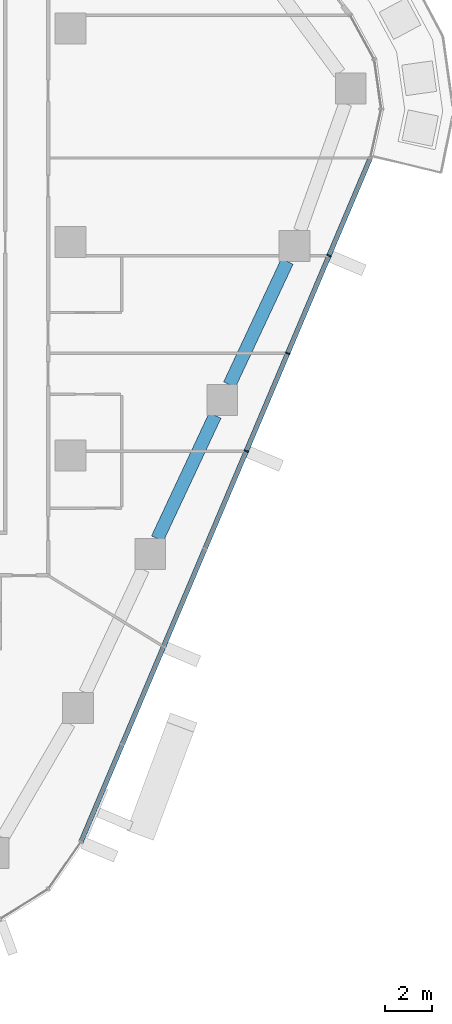
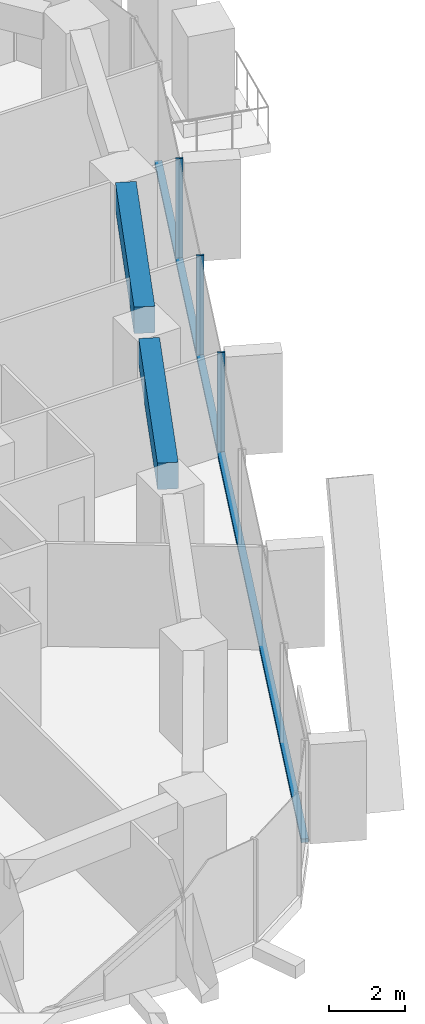
# One storey, part 5 of 23: 4 members, 2 beams, 1 element without a shape of its own.
"""IFC4 building model written with IfcOpenShell, lengths in metres."""

from ifc_helpers import new_model, si_unit, direction, frame, origin, origin_2d, place, context, subcontext, project, spatial, rectangle, extrude, material, layer, layer_set, material_profile, profile_set, type_object, element, aggregate, save


model = new_model("IFC4")

# Units and contexts
model_context = context("Model", 3, precision=1e-05, world=origin(), true_north=direction((0.0, 1.0)))
body_context = subcontext(model_context, "Body", "Model", "MODEL_VIEW")
ifc_project = project(units=[si_unit("LENGTHUNIT", "METRE"), si_unit("AREAUNIT", "SQUARE_METRE"), si_unit("VOLUMEUNIT", "CUBIC_METRE"), si_unit("PLANEANGLEUNIT", "RADIAN"), si_unit("MASSUNIT", "GRAM", prefix="KILO")], contexts=[model_context])

# Site, building, storey
site_placement = place(None, origin())
site = spatial("IfcSite", under=ifc_project, at=site_placement, CompositionType="ELEMENT")
building_placement = place(site_placement, origin())
building = spatial("IfcBuilding", under=site, at=building_placement, Name="Dongbaek Canopy Tower", CompositionType="ELEMENT")
storey_placement = place(building_placement, frame((0.0, 0.0, 121.10009765625)))
storey = spatial("IfcBuildingStorey", under=building, at=storey_placement, Name="L26", CompositionType="ELEMENT", Elevation=121.10009765625)

# Curtain wall, members
ifc_material_1 = material(Name="Aluminium 6063-T6 pale anodised", Category="aluminium")
ifc_layer = layer(ifc_material_1, 0.199951171875)
ifc_layer_set = layer_set([ifc_layer], Name="CW-1 unitised tower curtain wall")
curtain_wall_type = type_object("IfcCurtainWallType", Name="CW-1 unitised tower curtain wall", PredefinedType="NOTDEFINED", material=ifc_layer_set)
curtain_wall_placement = place(storey_placement, origin())
curtain_wall = element("IfcCurtainWall", 1, at=curtain_wall_placement, inside=storey, type_object=curtain_wall_type, Name="CW-1 curtain wall F5.1", PredefinedType="NOTDEFINED")
ifc_material_2 = material(Name="Aluminium 6063-T6 pale anodised", Category="aluminium")
ifc_material_profile_1 = material_profile(ifc_material_2, rectangle(XDim=0.199951171875, YDim=0.06005859375, at=origin_2d()), Name="CW-1 mullion 60 x 200")
ifc_profile_set_1 = profile_set([ifc_material_profile_1], Name="Aluminium 6063-T6 pale anodised")
member_type_1 = type_object("IfcMemberType", Name="CW-1 mullion 60 x 200", PredefinedType="MULLION", material=ifc_profile_set_1)
member_1_placement = place(storey_placement, frame((25.40625, -8.809814453125, 0.119873046875), z_axis=(0.0, 0.0, 1.0), x_axis=(0.920957724744, -0.389662506836, 0.0)))
member_1 = element("IfcMember", 2, at=member_1_placement, type_object=member_type_1, Name="CW-1 mullion F5.1.5", PredefinedType="MULLION", context=body_context, shape_type="SweptSolid", body=[
    extrude(rectangle(XDim=0.199951171875, YDim=0.06005859375, at=origin_2d()), origin(), (0.0, 0.0, 1.0), 3.179931640625),
])
member_2_placement = place(storey_placement, frame((27.14990234375, -4.688720703125, 0.119873046875), z_axis=(0.0, 0.0, 1.0), x_axis=(0.920957724744, -0.389662506836, 0.0)))
member_2 = element("IfcMember", 3, at=member_2_placement, type_object=member_type_1, Name="CW-1 mullion F5.1.6", PredefinedType="MULLION", context=body_context, shape_type="SweptSolid", body=[
    extrude(rectangle(XDim=0.199951171875, YDim=0.06005859375, at=origin_2d()), origin(), (0.0, 0.0, 1.0), 3.179931640625),
])
member_3_placement = place(storey_placement, frame((28.8935546875, -0.56787109375, 0.119873046875), z_axis=(0.0, 0.0, 1.0), x_axis=(0.920957724744, -0.389662506836, 0.0)))
member_3 = element("IfcMember", 4, at=member_3_placement, type_object=member_type_1, Name="CW-1 mullion F5.1.7", PredefinedType="MULLION", context=body_context, shape_type="SweptSolid", body=[
    extrude(rectangle(XDim=0.199951171875, YDim=0.06005859375, at=origin_2d()), origin(), (0.0, 0.0, 1.0), 3.179931640625),
])
ifc_material_3 = material(Name="Aluminium 6063-T6 pale anodised", Category="aluminium")
ifc_material_profile_2 = material_profile(ifc_material_3, rectangle(XDim=0.199951171875, YDim=0.1201171875, at=origin_2d()), Name="CW-1 transom 120 x 200")
ifc_profile_set_2 = profile_set([ifc_material_profile_2], Name="Aluminium 6063-T6 pale anodised")
member_type_2 = type_object("IfcMemberType", Name="CW-1 transom 120 x 200", PredefinedType="USERDEFINED", material=ifc_profile_set_2)
member_4_placement = place(storey_placement, frame((18.435791015625, -25.2841796875, 0.059814453125), z_axis=(0.389665179174, 0.920956594058, 0.0), x_axis=(-0.920956594058, 0.389665179174, 0.0)))
member_4 = element("IfcMember", 5, at=member_4_placement, type_object=member_type_2, Name="CW-1 transom F5.1.1", ObjectType="TRANSOM", PredefinedType="USERDEFINED", context=body_context, shape_type="SweptSolid", body=[
    extrude(rectangle(XDim=0.199951171875, YDim=0.1201171875, at=origin_2d()), origin(), (0.0, 0.0, 1.0), 31.30322265625),
])
aggregate(curtain_wall, [member_1, member_2, member_3, member_4])

# Beams
ifc_material_4 = material(Name="Concrete C80", Category="concrete")
ifc_material_profile_3 = material_profile(ifc_material_4, rectangle(XDim=0.550048828125, YDim=0.85009765625, at=origin_2d()), Name="RC EDGE BEAM 550x850 C80")
ifc_profile_set_3 = profile_set([ifc_material_profile_3], Name="Concrete C80")
beam_type = type_object("IfcBeamType", Name="RC EDGE BEAM 550x850 C80", PredefinedType="BEAM", material=ifc_profile_set_3)
beam_1_placement = place(storey_placement, frame((27.131591796875, -0.81494140625, 2.875), z_axis=(-0.424053070164, -0.90563734115, 0.0), x_axis=(0.90563734115, -0.424053070164, 0.0)))
element("IfcBeam", 6, at=beam_1_placement, inside=storey, type_object=beam_type, Name="EDGEBEAM:L26:22", PredefinedType="BEAM", context=body_context, shape_type="SweptSolid", body=[
    extrude(rectangle(XDim=0.550048828125, YDim=0.85009765625, at=origin_2d()), origin(), (0.0, 0.0, 1.0), 5.733154296875),
])
beam_2_placement = place(storey_placement, frame((24.091796875, -7.306884765625, 2.875), z_axis=(-0.424022586017, -0.905651614335, 0.0), x_axis=(0.905651614335, -0.424022586017, 0.0)))
element("IfcBeam", 7, at=beam_2_placement, inside=storey, type_object=beam_type, Name="EDGEBEAM:L26:23", PredefinedType="BEAM", context=body_context, shape_type="SweptSolid", body=[
    extrude(rectangle(XDim=0.550048828125, YDim=0.85009765625, at=origin_2d()), origin(), (0.0, 0.0, 1.0), 5.734130859375),
])

save(model, "model.ifc")
